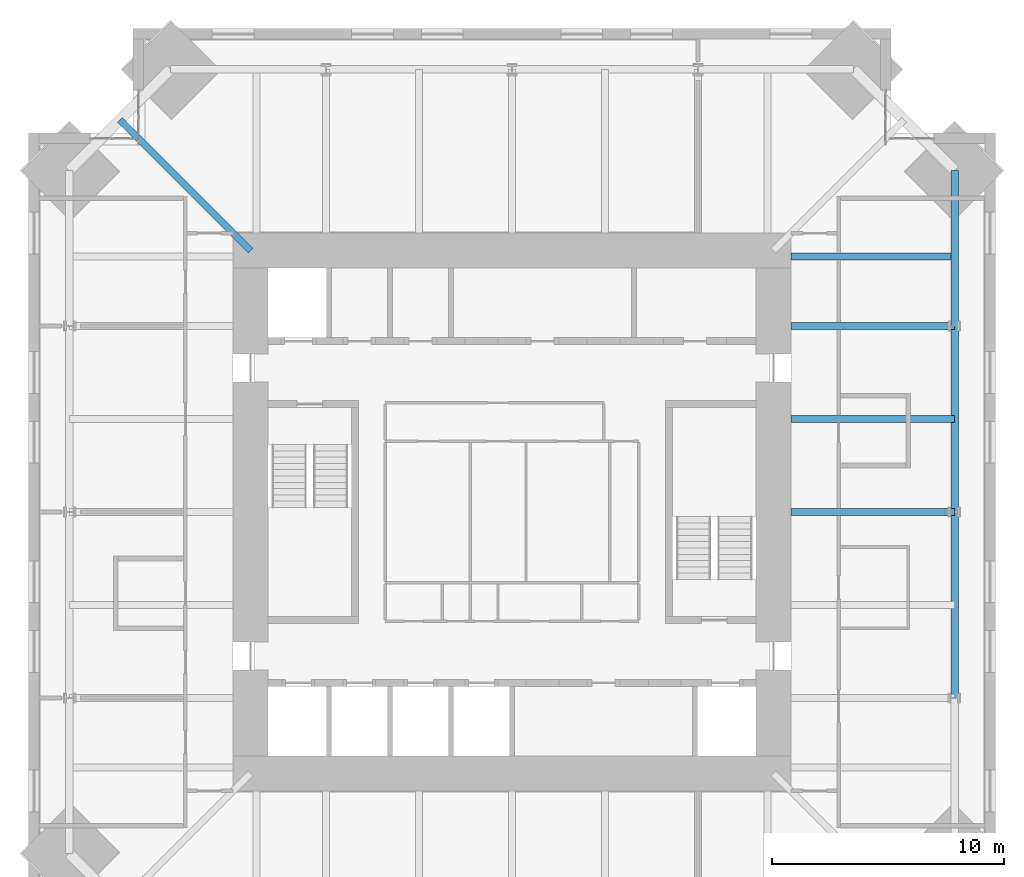
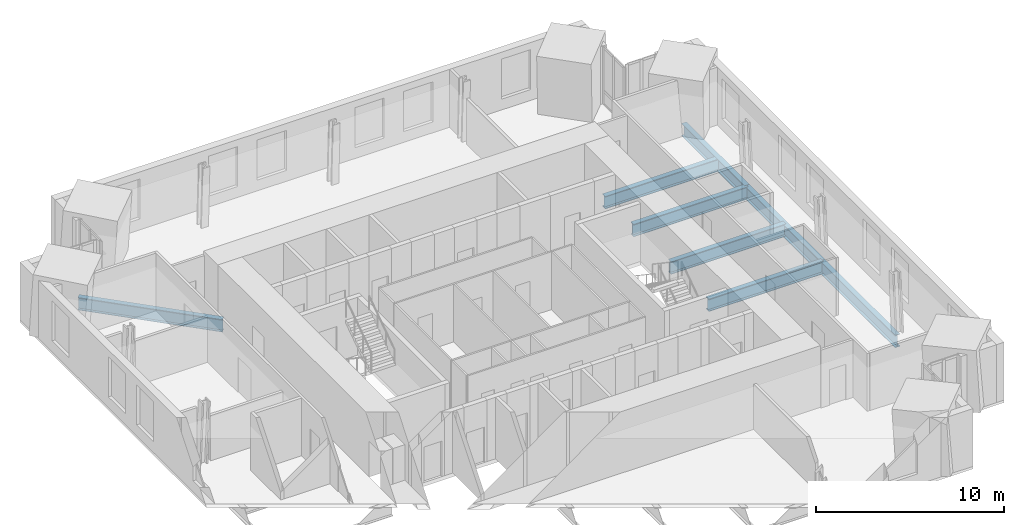
# One storey, part 5 of 15: 8 beams.
"""IFC4 building model written with IfcOpenShell, lengths in metres."""

from ifc_helpers import new_model, si_unit, direction, frame, origin, origin_2d, place, context, subcontext, project, spatial, i_section, extrude, material, material_profile, profile_set, type_object, element, save


model = new_model("IFC4")

# Units and contexts
model_context = context("Model", 3, precision=1e-05, world=origin(), true_north=direction((0.0, 1.0)))
body_context = subcontext(model_context, "Body", "Model", "MODEL_VIEW")
ifc_project = project(units=[si_unit("LENGTHUNIT", "METRE"), si_unit("AREAUNIT", "SQUARE_METRE"), si_unit("VOLUMEUNIT", "CUBIC_METRE"), si_unit("PLANEANGLEUNIT", "RADIAN"), si_unit("MASSUNIT", "GRAM", prefix="KILO")], contexts=[model_context])

# Site, building, storey
site_placement = place(None, origin())
site = spatial("IfcSite", under=ifc_project, at=site_placement, CompositionType="ELEMENT")
building_placement = place(site_placement, origin())
building = spatial("IfcBuilding", under=site, at=building_placement, Name="Peilmerk Tower", CompositionType="ELEMENT")
storey_placement = place(building_placement, frame((0.0, 0.0, 293.800048828125)))
storey = spatial("IfcBuildingStorey", under=building, at=storey_placement, Name="L66", CompositionType="ELEMENT", Elevation=293.800048828125)

# Beams
ifc_material = material(Name="Steel S460", Category="steel")
ifc_material_profile_1 = material_profile(ifc_material, i_section(OverallWidth=0.302978515625, OverallDepth=0.81396484375, WebThickness=0.02099609375, FlangeThickness=0.0400390625, at=origin_2d()), Name="HEM 800")
ifc_profile_set_1 = profile_set([ifc_material_profile_1], Name="Steel S460")
beam_type_1 = type_object("IfcBeamType", Name="B26 HEM 800 floor beam", PredefinedType="BEAM", material=ifc_profile_set_1)
for number, where, z_axis, x_axis, name in (
    (1, (12.0, 0.0, -0.5771484375), (1.0, 0.0, 0.0), (0.0, 1.0, 0.0), "Floor beam L66"),
    (2, (12.0, 4.0, -0.5771484375), (1.0, 0.0, 0.0), (0.0, 1.0, 0.0), "Floor beam L66"),
    (3, (12.0, 8.0, -0.5771484375), (1.0, 0.0, 0.0), (0.0, 1.0, 0.0), "Floor beam L66"),
    (4, (12.0, 11.0, -0.5771484375), (1.0, 0.0, 0.0), (0.0, 1.0, 0.0), "Floor beam L66"),
):
    element("IfcBeam", number, at=place(storey_placement, frame(where, z_axis=z_axis, x_axis=x_axis)), inside=storey, type_object=beam_type_1, Name=name, PredefinedType="BEAM", context=body_context, shape_type="SweptSolid", body=[
        extrude(i_section(OverallWidth=0.302978515625, OverallDepth=0.81396484375, WebThickness=0.02099609375, FlangeThickness=0.0400390625, at=origin_2d()), origin(), (0.0, 0.0, 1.0), 7.050048828125),
    ])
beam_1_placement = place(storey_placement, frame((-11.25, 11.25, -0.5771484375), z_axis=(-0.707106781187, 0.707106781187, 0.0), x_axis=(-0.707106781187, -0.707106781187, 0.0)))
element("IfcBeam", 5, at=beam_1_placement, inside=storey, type_object=beam_type_1, Name="Corner girder L66", PredefinedType="BEAM", context=body_context, shape_type="SweptSolid", body=[
    extrude(i_section(OverallWidth=0.302978515625, OverallDepth=0.81396484375, WebThickness=0.02099609375, FlangeThickness=0.0400390625, at=origin_2d()), origin(), (0.0, 0.0, 1.0), 7.954833984375),
])
ifc_material_profile_2 = material_profile(ifc_material, i_section(OverallWidth=0.302978515625, OverallDepth=0.81396484375, WebThickness=0.02099609375, FlangeThickness=0.0400390625, at=origin_2d()), Name="HEM 800")
ifc_profile_set_2 = profile_set([ifc_material_profile_2], Name="Steel S460")
beam_type_2 = type_object("IfcBeamType", Name="B35 HEM 800 edge beam", PredefinedType="SPANDREL", material=ifc_profile_set_2)
for number, where, z_axis, x_axis, name in (
    (6, (19.050048828125, -8.0, -0.5771484375), (0.0, 1.0, 0.0), (-1.0, 0.0, 0.0), "Edge beam L66"),
    (7, (19.050048828125, 0.0, -0.5771484375), (0.0, 1.0, 0.0), (-1.0, 0.0, 0.0), "Edge beam L66"),
):
    element("IfcBeam", number, at=place(storey_placement, frame(where, z_axis=z_axis, x_axis=x_axis)), inside=storey, type_object=beam_type_2, Name=name, PredefinedType="SPANDREL", context=body_context, shape_type="SweptSolid", body=[
        extrude(i_section(OverallWidth=0.302978515625, OverallDepth=0.81396484375, WebThickness=0.02099609375, FlangeThickness=0.0400390625, at=origin_2d()), origin(), (0.0, 0.0, 1.0), 8.0),
    ])
beam_2_placement = place(storey_placement, frame((19.050048828125, 8.0, -0.5771484375), z_axis=(0.0, 1.0, 0.0), x_axis=(-1.0, 0.0, 0.0)))
element("IfcBeam", 8, at=beam_2_placement, inside=storey, type_object=beam_type_2, Name="Edge beam L66", PredefinedType="SPANDREL", context=body_context, shape_type="SweptSolid", body=[
    extrude(i_section(OverallWidth=0.302978515625, OverallDepth=0.81396484375, WebThickness=0.02099609375, FlangeThickness=0.0400390625, at=origin_2d()), origin(), (0.0, 0.0, 1.0), 6.699951171875),
])

save(model, "model.ifc")
